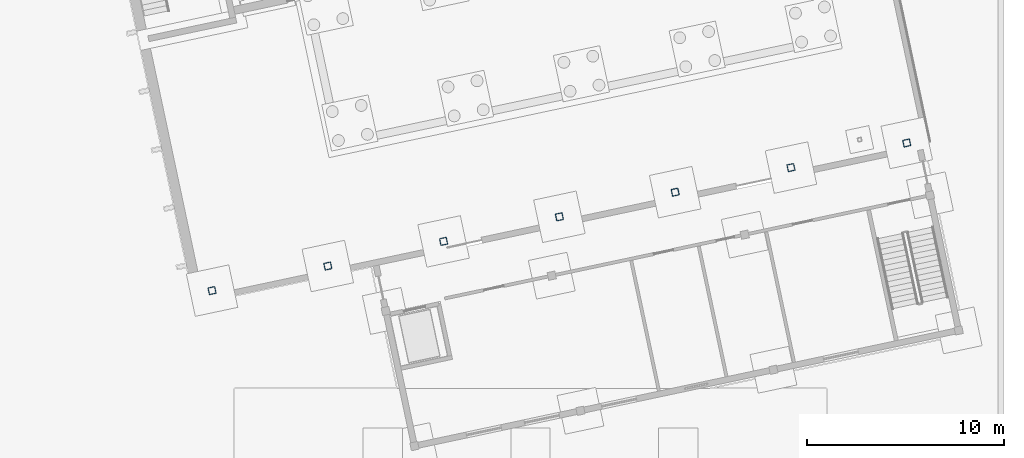
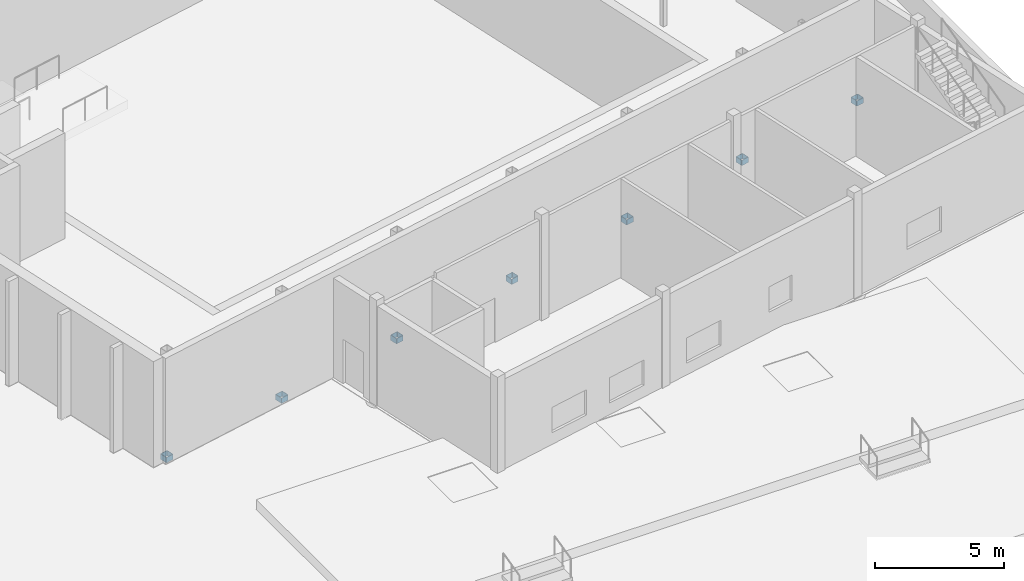
# One storey, part 30 of 157: 7 columns.
"""IFC4 building model written with IfcOpenShell, lengths in metres."""

import ifcopenshell
import ifcopenshell.guid

model = None  # the IFC model being written
_history = None  # IfcOwnerHistory: only IFC2X3 demands one
_inside = {}  # id of a spatial element -> (the spatial element, [elements in it])
_under = {}  # id of a project, library or spatial element -> (it, [spatial elements below it])
_declared = {}  # id of a project -> (the project, [libraries it declares])
_typed = {}  # id of a type object -> (the type object, [elements of that type])
_made_of = {}  # id of a material, layer set ... -> (it, [elements and type objects made of it])


def new_model(schema):
    """Start an empty IFC model of exactly this schema.

    Asked for "IFC4X3", IfcOpenShell would pick the latest addendum, in which some entities
    have other attributes; the version numbers below select the first issue.
    IFC2X3 requires an IfcOwnerHistory on every rooted entity: one is made here for all.
    """
    global model, _history
    if schema == "IFC4X3":
        model = ifcopenshell.file(schema_version=(4, 3, 0, 0))
    else:
        model = ifcopenshell.file(schema=schema)
    _inside.clear()
    _under.clear()
    _declared.clear()
    _typed.clear()
    _made_of.clear()
    _history = None
    if model.schema == "IFC2X3":
        org = make("IfcOrganization", Name="unknown")
        user = make(
            "IfcPersonAndOrganization",
            ThePerson=make("IfcPerson", FamilyName="unknown"),
            TheOrganization=org,
        )
        app = make(
            "IfcApplication",
            ApplicationDeveloper=org,
            Version="unknown",
            ApplicationFullName="unknown",
            ApplicationIdentifier="unknown",
        )
        _history = make(
            "IfcOwnerHistory",
            OwningUser=user,
            OwningApplication=app,
            ChangeAction="ADDED",
            CreationDate=0,
        )
    return model


def make(cls, **values):
    """One entity of the class cls with the attributes given. An attribute that is None is left unset."""
    return model.create_entity(
        cls, **{name: value for name, value in values.items() if value is not None}
    )


def rooted(cls, **values):
    """An entity with a GlobalId (a new one), such as an element, a storey or a relation."""
    return make(cls, GlobalId=ifcopenshell.guid.new(), OwnerHistory=_history, **values)


def si_unit(unit_type, name, prefix=None):
    """IfcSIUnit, for example si_unit("LENGTHUNIT", "METRE", prefix="MILLI")."""
    return make("IfcSIUnit", UnitType=unit_type, Prefix=prefix, Name=name)


def assignment(units):
    """IfcUnitAssignment: the units of a project."""
    return None if units is None else make("IfcUnitAssignment", Units=units)


def point(xyz):
    """IfcCartesianPoint."""
    return None if xyz is None else make("IfcCartesianPoint", Coordinates=xyz)


def direction(xyz):
    """IfcDirection."""
    return None if xyz is None else make("IfcDirection", DirectionRatios=xyz)


def frame(location, z_axis=None, x_axis=None):
    """IfcAxis2Placement3D, a coordinate frame: its origin and axes. An axis left out is left unset."""
    return make(
        "IfcAxis2Placement3D",
        Location=point(location),
        Axis=direction(z_axis),
        RefDirection=direction(x_axis),
    )


def frame_2d(location, x_axis=None):
    """IfcAxis2Placement2D, a coordinate frame in the plane: its origin and x axis."""
    return make(
        "IfcAxis2Placement2D", Location=point(location), RefDirection=direction(x_axis)
    )


def origin():
    """The frame at (0, 0, 0) with its axes left unset."""
    return frame((0.0, 0.0, 0.0))


def origin_2d():
    """The frame at (0, 0) in the plane with its x axis left unset."""
    return frame_2d((0.0, 0.0))


def place(relative_to, where):
    """IfcLocalPlacement: puts the frame where relative to a parent placement (None: the world)."""
    return make(
        "IfcLocalPlacement", PlacementRelTo=relative_to, RelativePlacement=where
    )


def context(
    kind, dimensions, precision=None, world=None, true_north=None, identifier=None
):
    """IfcGeometricRepresentationContext, for example the 3D "Model" context."""
    return make(
        "IfcGeometricRepresentationContext",
        ContextIdentifier=identifier,
        ContextType=kind,
        CoordinateSpaceDimension=dimensions,
        Precision=precision,
        WorldCoordinateSystem=world,
        TrueNorth=true_north,
    )


def subcontext(parent, identifier, kind, view, scale=None):
    """IfcGeometricRepresentationSubContext, for example "Body" below "Model"."""
    return make(
        "IfcGeometricRepresentationSubContext",
        ContextIdentifier=identifier,
        ContextType=kind,
        ParentContext=parent,
        TargetScale=scale,
        TargetView=view,
    )


def project(units=None, contexts=None):
    """IfcProject with its units and contexts."""
    return rooted(
        "IfcProject",
        Name="project",
        RepresentationContexts=contexts,
        UnitsInContext=assignment(units),
    )


def spatial(cls, under=None, at=None, **own):
    """A site, building, storey or space (cls), placed at a placement, below another one or the project."""
    s = rooted(cls, ObjectPlacement=at, **own)
    if under is not None:
        _under.setdefault(under.id(), (under, []))[1].append(s)
    return s


def profile(cls, at=None, kind="AREA", **sizes):
    """A parametric profile (cls). Its sizes go by their IFC names, for example OverallWidth=200.0."""
    return make(cls, ProfileType=kind, Position=at, **sizes)


def hollow_rectangle(**sizes):
    """IfcRectangleHollowProfileDef."""
    return profile("IfcRectangleHollowProfileDef", **sizes)


def extrude(swept, where, along, depth):
    """IfcExtrudedAreaSolid: the profile swept, set in the frame where, extruded along a direction by depth."""
    return make(
        "IfcExtrudedAreaSolid",
        SweptArea=swept,
        Position=where,
        ExtrudedDirection=direction(along),
        Depth=depth,
    )


def shape(context_of_items, identifier, shape_type, items):
    """IfcShapeRepresentation: the items that make up one representation, for example the "Body"."""
    return make(
        "IfcShapeRepresentation",
        ContextOfItems=context_of_items,
        RepresentationIdentifier=identifier,
        RepresentationType=shape_type,
        Items=items,
    )


def material(Name=None, Category=None):
    """IfcMaterial."""
    return make("IfcMaterial", Name=Name, Category=Category)


def material_profile(
    of_material, cross_section, Name=None, Category=None, Priority=None
):
    """IfcMaterialProfile: a cross section and its material."""
    return make(
        "IfcMaterialProfile",
        Name=Name,
        Material=of_material,
        Profile=cross_section,
        Priority=Priority,
        Category=Category,
    )


def profile_set(profiles, Name=None, composite=None):
    """IfcMaterialProfileSet."""
    return make(
        "IfcMaterialProfileSet",
        Name=Name,
        MaterialProfiles=profiles,
        CompositeProfile=composite,
    )


def made_of(thing, what):
    """Note that an element or type object is made of a material, layer set ...; save() writes the relation."""
    if what is not None:
        _made_of.setdefault(what.id(), (what, []))[1].append(thing)
    return thing


def type_object(cls, material=None, **own):
    """A type object (cls), such as IfcWallType, which elements share."""
    return made_of(rooted(cls, **own), material)


def element(
    cls,
    number,
    at=None,
    inside=None,
    cuts=None,
    type_object=None,
    material=None,
    context=None,
    identifier="Body",
    shape_type=None,
    held_by="IfcProductDefinitionShape",
    body=None,
    shapes=None,
    **own,
):
    """One element of the class cls, such as IfcWall. Its Tag is "e" and its number.

    at: its placement. inside: the storey or other place that contains it. cuts: it is an
    opening in that element (IfcRelVoidsElement). A single representation is given by context,
    identifier, shape_type and body (its items); several are given by shapes. held_by: the class
    of the entity that holds the representations. save() writes the other relations.
    """
    e = rooted(cls, Tag="e%d" % number, ObjectPlacement=at, **own)
    if body is not None:
        shapes = [shape(context, identifier, shape_type, body)]
    if shapes is not None:
        e.Representation = make(held_by, Representations=shapes)
    if inside is not None:
        _inside.setdefault(inside.id(), (inside, []))[1].append(e)
    if cuts is not None:
        rooted(
            "IfcRelVoidsElement", RelatingBuildingElement=cuts, RelatedOpeningElement=e
        )
    if type_object is not None:
        _typed.setdefault(type_object.id(), (type_object, []))[1].append(e)
    return made_of(e, material)


def aggregate(whole, parts):
    """IfcRelAggregates: a whole, such as a stair, and the parts it consists of."""
    return rooted("IfcRelAggregates", RelatingObject=whole, RelatedObjects=parts)


def save(model, path):
    """Write the relations noted so far, then the file.

    IfcRelAggregates (storeys below a building ...), IfcRelContainedInSpatialStructure (elements
    in a storey), IfcRelDefinesByType, IfcRelAssociatesMaterial and IfcRelDeclares: one each for
    every whole, place, type object, material and project.
    """
    for whole, parts in _under.values():
        aggregate(whole, parts)
    for where, things in _inside.values():
        rooted(
            "IfcRelContainedInSpatialStructure",
            RelatedElements=things,
            RelatingStructure=where,
        )
    for kind, things in _typed.values():
        rooted("IfcRelDefinesByType", RelatedObjects=things, RelatingType=kind)
    for what, things in _made_of.values():
        rooted("IfcRelAssociatesMaterial", RelatedObjects=things, RelatingMaterial=what)
    for by, libraries in _declared.values():
        rooted("IfcRelDeclares", RelatingContext=by, RelatedDefinitions=libraries)
    model.write(path)


model = new_model("IFC4")

# Units and contexts
model_context = context("Model", 3, precision=1e-05, world=origin(), true_north=direction((0.0, 1.0)))
body_context = subcontext(model_context, "Body", "Model", "MODEL_VIEW")
ifc_project = project(units=[si_unit("LENGTHUNIT", "METRE"), si_unit("AREAUNIT", "SQUARE_METRE"), si_unit("VOLUMEUNIT", "CUBIC_METRE"), si_unit("PLANEANGLEUNIT", "RADIAN"), si_unit("MASSUNIT", "GRAM", prefix="KILO")], contexts=[model_context])

# Site, building, storey
site_placement = place(None, origin())
site = spatial("IfcSite", under=ifc_project, at=site_placement, CompositionType="ELEMENT")
building_placement = place(site_placement, origin())
building = spatial("IfcBuilding", under=site, at=building_placement, Name="Windward Yard Aquatics Centre", CompositionType="ELEMENT")
storey_placement = place(building_placement, origin())
storey = spatial("IfcBuildingStorey", under=building, at=storey_placement, Name="L00", CompositionType="ELEMENT", Elevation=0.0)

# Columns
ifc_material = material(Name="Steel ASTM A500 Gr C", Category="steel")
ifc_material_profile = material_profile(ifc_material, hollow_rectangle(XDim=0.355712890625, YDim=0.355712890625, WallThickness=0.015869140625, InnerFilletRadius=0.008056640625, OuterFilletRadius=0.02392578125, at=origin_2d()), Name="HSS356X356X15.9")
ifc_profile_set = profile_set([ifc_material_profile], Name="Steel ASTM A500 Gr C")
column_type = type_object("IfcColumnType", Name="D column HSS356X356X15.9", PredefinedType="COLUMN", material=ifc_profile_set)
for number, where, z_axis, x_axis, name in (
    (1, (163.857177734375, 41.961669921875, -0.25), (0.0, 0.0, 1.0), (0.978147600734, 0.207911690818, 0.0), "D.COL.1.1.1"),
    (2, (169.72607421875, 43.208984375, -0.25), (0.0, 0.0, 1.0), (0.978147600734, 0.207911690818, 0.0), "D.COL.2.1.1"),
    (3, (175.594970703125, 44.45654296875, -0.25), (0.0, 0.0, 1.0), (0.978147600734, 0.207911690818, 0.0), "D.COL.3.1.1"),
    (4, (181.4638671875, 45.7041015625, -0.25), (0.0, 0.0, 1.0), (0.978147600734, 0.207911690818, 0.0), "D.COL.4.1.1"),
    (5, (187.332763671875, 46.951416015625, -0.25), (0.0, 0.0, 1.0), (0.978147600734, 0.207911690818, 0.0), "D.COL.5.1.1"),
    (6, (193.20166015625, 48.198974609375, -0.25), (0.0, 0.0, 1.0), (0.978147600734, 0.207911690818, 0.0), "D.COL.6.1.1"),
    (7, (199.070556640625, 49.446533203125, -0.25), (0.0, 0.0, 1.0), (0.978147600734, 0.207911690818, 0.0), "D.COL.7.1.1"),
):
    element("IfcColumn", number, at=place(storey_placement, frame(where, z_axis=z_axis, x_axis=x_axis)), inside=storey, type_object=column_type, Name=name, PredefinedType="COLUMN", context=body_context, shape_type="SweptSolid", body=[
        extrude(hollow_rectangle(XDim=0.355712890625, YDim=0.355712890625, WallThickness=0.015869140625, InnerFilletRadius=0.008056640625, OuterFilletRadius=0.02392578125, at=origin_2d()), origin(), (0.0, 0.0, 1.0), 0.25),
    ])

save(model, "model.ifc")
